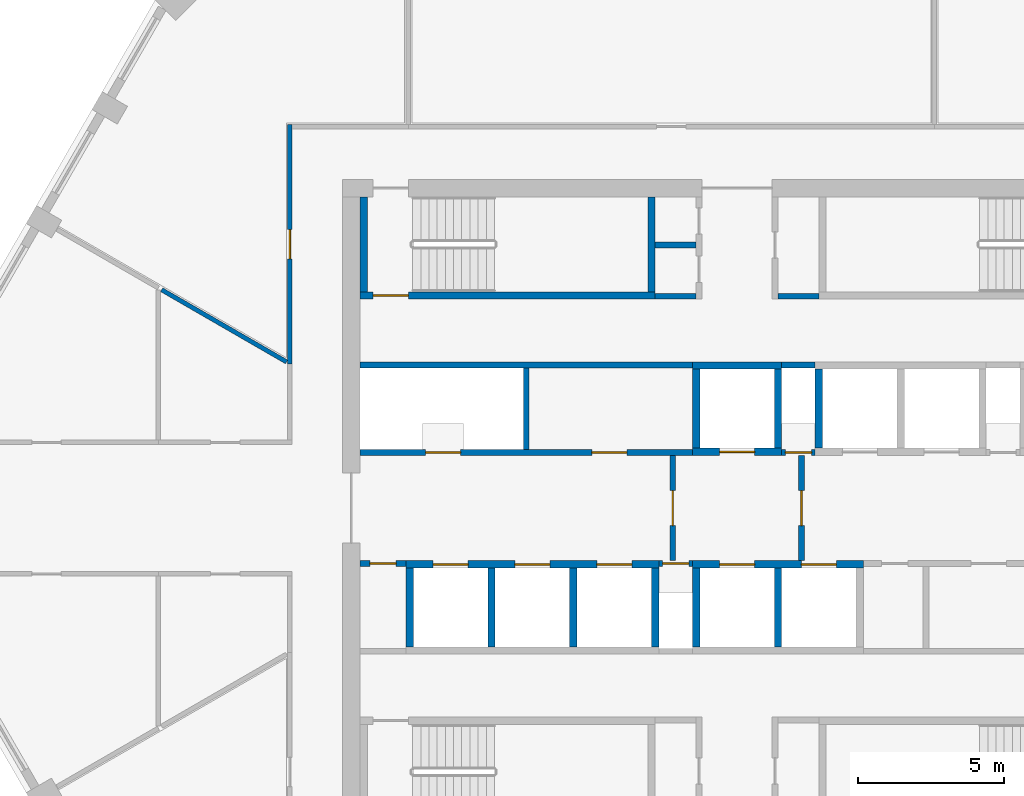
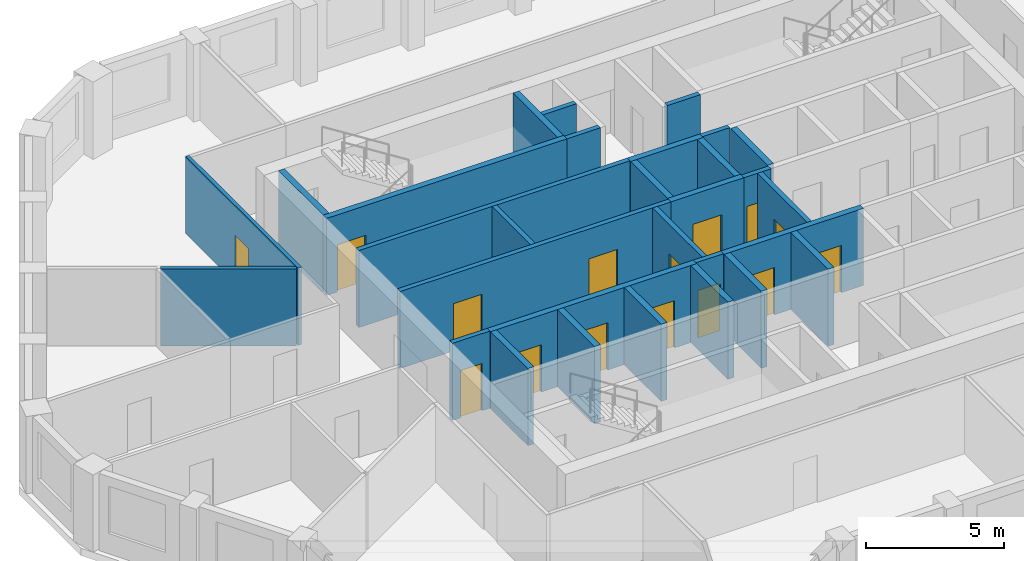
# One storey, part 3 of 11: 30 walls, 15 doors, 15 openings.
"""IFC4 building model written with IfcOpenShell, lengths in metres."""

from ifc_helpers import new_model, si_unit, direction, frame, frame_2d, origin, place, context, subcontext, project, spatial, polyline, rectangle, outline, extrude, material, layer, layer_set, type_object, element, fill, save


model = new_model("IFC4")

# Units and contexts
model_context = context("Model", 3, precision=1e-05, world=origin(), true_north=direction((0.0, 1.0)))
body_context = subcontext(model_context, "Body", "Model", "MODEL_VIEW")
ifc_project = project(units=[si_unit("LENGTHUNIT", "METRE"), si_unit("AREAUNIT", "SQUARE_METRE"), si_unit("VOLUMEUNIT", "CUBIC_METRE"), si_unit("PLANEANGLEUNIT", "RADIAN"), si_unit("MASSUNIT", "GRAM", prefix="KILO")], contexts=[model_context])

# Site, building, storey
site_placement = place(None, origin())
site = spatial("IfcSite", under=ifc_project, at=site_placement, CompositionType="ELEMENT")
building_placement = place(site_placement, origin())
building = spatial("IfcBuilding", under=site, at=building_placement, Name="Dhurran Vertical Campus", CompositionType="ELEMENT")
storey_placement = place(building_placement, frame((0.0, 0.0, 278.10009765625)))
storey = spatial("IfcBuildingStorey", under=building, at=storey_placement, Name="L69", CompositionType="ELEMENT", Elevation=278.10009765625)

# Wall, opening, door
ifc_material_1 = material(Name="Fire-rated masonry blockwork", Category="masonry")
ifc_layer_1 = layer(ifc_material_1, 0.199951171875)
ifc_layer_set_1 = layer_set([ifc_layer_1], Name="Fire-rated masonry blockwork")
wall_type_1 = type_object("IfcWallType", Name="co-FIRE-PARTITION-200", PredefinedType="PARTITIONING", material=ifc_layer_set_1)
wall_1_placement = place(storey_placement, frame((-2.199951171875, -1.800048828125, 0.0), z_axis=(0.0, 0.0, 1.0), x_axis=(0.0, 1.0, 0.0)))
wall_1 = element("IfcWall", 1, at=wall_1_placement, inside=storey, type_object=wall_type_1, Name="Firefighting lobby wall W L69", PredefinedType="PARTITIONING", context=body_context, shape_type="SweptSolid", body=[
    extrude(rectangle(XDim=3.60009765625, YDim=0.199951171875, at=frame_2d((1.800048828125, 0.0))), origin(), (0.0, 0.0, 1.0), 3.4248046875),
])
opening_1_placement = place(wall_1_placement, frame((1.199951171875, 0.0, 0.0)))
opening_1 = element("IfcOpeningElement", 2, at=opening_1_placement, cuts=wall_1, Name="Opening FL1", PredefinedType="OPENING", context=body_context, shape_type="SweptSolid", body=[
    extrude(rectangle(XDim=1.199951171875, YDim=2.10009765625, at=frame_2d((0.60009765625, 1.050048828125))), frame((0.0, 0.10986328125, 0.0), z_axis=(0.0, -1.0, 0.0), x_axis=(1.0, 0.0, 0.0)), (0.0, 0.0, 1.0), 0.219970703125),
])
ifc_material_2 = material(Name="Fire-rated steel door set", Category="steel")
door_type_1 = type_object("IfcDoorType", Name="co-D-FFLOBBY 1200x2100", OperationType="SINGLE_SWING_LEFT", PredefinedType="DOOR", material=ifc_material_2)
door_1_placement = place(opening_1_placement, origin())
door_1 = element("IfcDoor", 3, at=door_1_placement, inside=storey, type_object=door_type_1, Name="Firefighting lobby door W L69", OperationType="SINGLE_SWING_LEFT", OverallHeight=2.10009765625, OverallWidth=1.199951171875, PredefinedType="DOOR", context=body_context, shape_type="SweptSolid", body=[
    extrude(rectangle(XDim=1.199951171875, YDim=2.10009765625, at=frame_2d((0.60009765625, 1.050048828125))), frame((0.0, 0.02490234375, 0.0), z_axis=(0.0, -1.0, 0.0), x_axis=(1.0, 0.0, 0.0)), (0.0, 0.0, 1.0), 0.050048828125),
])
fill(opening_1, door_1)

wall_2_placement = place(storey_placement, frame((2.199951171875, -1.800048828125, 0.0), z_axis=(0.0, 0.0, 1.0), x_axis=(0.0, 1.0, 0.0)))
wall_2 = element("IfcWall", 4, at=wall_2_placement, inside=storey, type_object=wall_type_1, Name="Firefighting lobby wall E L69", PredefinedType="PARTITIONING", context=body_context, shape_type="SweptSolid", body=[
    extrude(rectangle(XDim=3.60009765625, YDim=0.199951171875, at=frame_2d((1.800048828125, 0.0))), origin(), (0.0, 0.0, 1.0), 3.4248046875),
])
opening_2_placement = place(wall_2_placement, frame((1.199951171875, 0.0, 0.0)))
opening_2 = element("IfcOpeningElement", 5, at=opening_2_placement, cuts=wall_2, Name="Opening FL2", PredefinedType="OPENING", context=body_context, shape_type="SweptSolid", body=[
    extrude(rectangle(XDim=1.199951171875, YDim=2.10009765625, at=frame_2d((0.60009765625, 1.050048828125))), frame((0.0, 0.10986328125, 0.0), z_axis=(0.0, -1.0, 0.0), x_axis=(1.0, 0.0, 0.0)), (0.0, 0.0, 1.0), 0.219970703125),
])
door_2_placement = place(opening_2_placement, origin())
door_2 = element("IfcDoor", 6, at=door_2_placement, inside=storey, type_object=door_type_1, Name="Firefighting lobby door E L69", OperationType="SINGLE_SWING_LEFT", OverallHeight=2.10009765625, OverallWidth=1.199951171875, PredefinedType="DOOR", context=body_context, shape_type="SweptSolid", body=[
    extrude(rectangle(XDim=1.199951171875, YDim=2.10009765625, at=frame_2d((0.60009765625, 1.050048828125))), frame((0.0, 0.02490234375, 0.0), z_axis=(0.0, -1.0, 0.0), x_axis=(1.0, 0.0, 0.0)), (0.0, 0.0, 1.0), 0.050048828125),
])
fill(opening_2, door_2)

# Walls
for number, where, z_axis, x_axis, name in (
    (7, (-2.800048828125, 7.25, 0.0), (0.0, 0.0, 1.0), (1.0, 0.0, 0.0), "Core partition sl-NW-S L69"),
    (8, (-2.800048828125, 9.0, 0.0), (0.0, 0.0, 1.0), (1.0, 0.0, 0.0), "Core partition sl-NW-cut0 L69"),
    (9, (1.39990234375, 7.25, 0.0), (0.0, 0.0, 1.0), (1.0, 0.0, 0.0), "Core partition sl-NE-S L69"),
):
    element("IfcWall", number, at=place(storey_placement, frame(where, z_axis=z_axis, x_axis=x_axis)), inside=storey, type_object=wall_type_1, Name=name, PredefinedType="PARTITIONING", context=body_context, shape_type="SweptSolid", body=[
        extrude(rectangle(XDim=1.400146484375, YDim=0.199951171875, at=frame_2d((0.7001953125, 0.0))), origin(), (0.0, 0.0, 1.0), 3.4248046875),
    ])
wall_3_placement = place(storey_placement, frame((-7.21240234375, 2.0, 0.0), z_axis=(0.0, 0.0, 1.0), x_axis=(0.0, 1.0, 0.0)))
element("IfcWall", 10, at=wall_3_placement, inside=storey, type_object=wall_type_1, Name="Core partition fr-N0-cut0 L69", PredefinedType="PARTITIONING", context=body_context, shape_type="SweptSolid", body=[
    extrude(rectangle(XDim=2.800048828125, YDim=0.199951171875, at=frame_2d((1.39990234375, 0.0))), origin(), (0.0, 0.0, 1.0), 3.4248046875),
])

# Wall, openings, doors
wall_4_placement = place(storey_placement, frame((-12.89990234375, 1.89990234375, 0.0), z_axis=(0.0, 0.0, 1.0), x_axis=(1.0, 0.0, 0.0)))
wall_4 = element("IfcWall", 11, at=wall_4_placement, inside=storey, type_object=wall_type_1, Name="Core partition fr-N0-f L69", PredefinedType="PARTITIONING", context=body_context, shape_type="SweptSolid", body=[
    extrude(rectangle(XDim=11.375, YDim=0.199951171875, at=frame_2d((5.6875, 0.0))), origin(), (0.0, 0.0, 1.0), 3.4248046875),
])
opening_3_placement = place(wall_4_placement, frame((2.243896484375, 0.0, 0.0)))
opening_3 = element("IfcOpeningElement", 12, at=opening_3_placement, cuts=wall_4, Name="Opening T20-C6", PredefinedType="OPENING", context=body_context, shape_type="SweptSolid", body=[
    extrude(rectangle(XDim=1.199951171875, YDim=2.10009765625, at=frame_2d((0.60009765625, 1.050048828125))), frame((0.0, 0.10986328125, 0.0), z_axis=(0.0, -1.0, 0.0), x_axis=(1.0, 0.0, 0.0)), (0.0, 0.0, 1.0), 0.219970703125),
])
opening_4_placement = place(wall_4_placement, frame((7.931396484375, 0.0, 0.0)))
opening_4 = element("IfcOpeningElement", 13, at=opening_4_placement, cuts=wall_4, Name="Opening T20-C7", PredefinedType="OPENING", context=body_context, shape_type="SweptSolid", body=[
    extrude(rectangle(XDim=1.199951171875, YDim=2.10009765625, at=frame_2d((0.60009765625, 1.050048828125))), frame((0.0, 0.10986328125, 0.0), z_axis=(0.0, -1.0, 0.0), x_axis=(1.0, 0.0, 0.0)), (0.0, 0.0, 1.0), 0.219970703125),
])
ifc_material_3 = material(Name="Fire-rated steel door set", Category="steel")
door_type_2 = type_object("IfcDoorType", Name="co-D-ROOM-PASSAGE 1200x2100", OperationType="SINGLE_SWING_RIGHT", PredefinedType="DOOR", material=ifc_material_3)
door_3_placement = place(opening_3_placement, origin())
door_3 = element("IfcDoor", 14, at=door_3_placement, inside=storey, type_object=door_type_2, Name="Electrical riser door L69", OperationType="SINGLE_SWING_RIGHT", OverallHeight=2.10009765625, OverallWidth=1.199951171875, PredefinedType="DOOR", context=body_context, shape_type="SweptSolid", body=[
    extrude(rectangle(XDim=1.199951171875, YDim=2.10009765625, at=frame_2d((0.60009765625, 1.050048828125))), frame((0.0, 0.02490234375, 0.0), z_axis=(0.0, -1.0, 0.0), x_axis=(1.0, 0.0, 0.0)), (0.0, 0.0, 1.0), 0.050048828125),
])
fill(opening_3, door_3)
door_4_placement = place(opening_4_placement, origin())
door_4 = element("IfcDoor", 15, at=door_4_placement, inside=storey, type_object=door_type_2, Name="Pantry door L69", OperationType="SINGLE_SWING_RIGHT", OverallHeight=2.10009765625, OverallWidth=1.199951171875, PredefinedType="DOOR", context=body_context, shape_type="SweptSolid", body=[
    extrude(rectangle(XDim=1.199951171875, YDim=2.10009765625, at=frame_2d((0.60009765625, 1.050048828125))), frame((0.0, 0.02490234375, 0.0), z_axis=(0.0, -1.0, 0.0), x_axis=(1.0, 0.0, 0.0)), (0.0, 0.0, 1.0), 0.050048828125),
])
fill(opening_4, door_4)

# Wall
wall_5_placement = place(storey_placement, frame((-12.89990234375, 4.89990234375, 0.0), z_axis=(0.0, 0.0, 1.0), x_axis=(1.0, 0.0, 0.0)))
element("IfcWall", 16, at=wall_5_placement, inside=storey, type_object=wall_type_1, Name="Core partition fr-N0-b L69", PredefinedType="PARTITIONING", context=body_context, shape_type="SweptSolid", body=[
    extrude(rectangle(XDim=11.375, YDim=0.199951171875, at=frame_2d((5.6875, 0.0))), origin(), (0.0, 0.0, 1.0), 3.4248046875),
])

# Wall, opening, door
wall_6_placement = place(storey_placement, frame((1.52490234375, 1.89990234375, 0.0), z_axis=(0.0, 0.0, 1.0), x_axis=(1.0, 0.0, 0.0)))
wall_6 = element("IfcWall", 17, at=wall_6_placement, inside=storey, type_object=wall_type_1, Name="Core partition fr-N1-f L69", PredefinedType="PARTITIONING", context=body_context, shape_type="SweptSolid", body=[
    extrude(rectangle(XDim=1.150146484375, YDim=0.199951171875, at=frame_2d((0.5751953125, 0.0))), origin(), (0.0, 0.0, 1.0), 3.4248046875),
])
opening_5_placement = place(wall_6_placement, frame((0.125, 0.0, 0.0)))
opening_5 = element("IfcOpeningElement", 18, at=opening_5_placement, cuts=wall_6, Name="Opening T20-C8", PredefinedType="OPENING", context=body_context, shape_type="SweptSolid", body=[
    extrude(rectangle(XDim=0.89990234375, YDim=2.10009765625, at=frame_2d((0.449951171875, 1.050048828125))), frame((0.0, 0.10986328125, 0.0), z_axis=(0.0, -1.0, 0.0), x_axis=(1.0, 0.0, 0.0)), (0.0, 0.0, 1.0), 0.219970703125),
])
ifc_material_4 = material(Name="Fire-rated timber door set", Category="wood")
door_type_3 = type_object("IfcDoorType", Name="co-D-ROOM 900x2100", OperationType="SINGLE_SWING_LEFT", PredefinedType="DOOR", material=ifc_material_4)
door_5_placement = place(opening_5_placement, origin())
door_5 = element("IfcDoor", 19, at=door_5_placement, inside=storey, type_object=door_type_3, Name="Water riser door L69", OperationType="SINGLE_SWING_LEFT", OverallHeight=2.10009765625, OverallWidth=0.89990234375, PredefinedType="DOOR", context=body_context, shape_type="SweptSolid", body=[
    extrude(rectangle(XDim=0.89990234375, YDim=2.10009765625, at=frame_2d((0.449951171875, 1.050048828125))), frame((0.0, 0.02490234375, 0.0), z_axis=(0.0, -1.0, 0.0), x_axis=(1.0, 0.0, 0.0)), (0.0, 0.0, 1.0), 0.050048828125),
])
fill(opening_5, door_5)

# Wall
wall_7_placement = place(storey_placement, frame((1.52490234375, 4.89990234375, 0.0), z_axis=(0.0, 0.0, 1.0), x_axis=(1.0, 0.0, 0.0)))
element("IfcWall", 20, at=wall_7_placement, inside=storey, type_object=wall_type_1, Name="Core partition fr-N1-b L69", PredefinedType="PARTITIONING", context=body_context, shape_type="SweptSolid", body=[
    extrude(rectangle(XDim=1.150146484375, YDim=0.199951171875, at=frame_2d((0.5751953125, 0.0))), origin(), (0.0, 0.0, 1.0), 3.4248046875),
])

# Wall, opening, door
wall_8_placement = place(storey_placement, frame((-12.89990234375, -1.89990234375, 0.0), z_axis=(0.0, 0.0, 1.0), x_axis=(1.0, 0.0, 0.0)))
wall_8 = element("IfcWall", 21, at=wall_8_placement, inside=storey, type_object=wall_type_1, Name="Core partition fr-S0-f L69", PredefinedType="PARTITIONING", context=body_context, shape_type="SweptSolid", body=[
    extrude(rectangle(XDim=1.574951171875, YDim=0.199951171875, at=frame_2d((0.78759765625, 0.0))), origin(), (0.0, 0.0, 1.0), 3.4248046875),
])
opening_6_placement = place(wall_8_placement, frame((0.33740234375, 0.0, 0.0)))
opening_6 = element("IfcOpeningElement", 22, at=opening_6_placement, cuts=wall_8, Name="Opening T20-C10", PredefinedType="OPENING", context=body_context, shape_type="SweptSolid", body=[
    extrude(rectangle(XDim=0.89990234375, YDim=2.10009765625, at=frame_2d((0.449951171875, 1.050048828125))), frame((0.0, 0.10986328125, 0.0), z_axis=(0.0, -1.0, 0.0), x_axis=(1.0, 0.0, 0.0)), (0.0, 0.0, 1.0), 0.219970703125),
])
door_6_placement = place(opening_6_placement, origin())
door_6 = element("IfcDoor", 23, at=door_6_placement, inside=storey, type_object=door_type_3, Name="Cleaner's store door L69", OperationType="SINGLE_SWING_LEFT", OverallHeight=2.10009765625, OverallWidth=0.89990234375, PredefinedType="DOOR", context=body_context, shape_type="SweptSolid", body=[
    extrude(rectangle(XDim=0.89990234375, YDim=2.10009765625, at=frame_2d((0.449951171875, 1.050048828125))), frame((0.0, 0.02490234375, 0.0), z_axis=(0.0, -1.0, 0.0), x_axis=(1.0, 0.0, 0.0)), (0.0, 0.0, 1.0), 0.050048828125),
])
fill(opening_6, door_6)

wall_9_placement = place(storey_placement, frame((-2.675048828125, -1.89990234375, 0.0), z_axis=(0.0, 0.0, 1.0), x_axis=(1.0, 0.0, 0.0)))
wall_9 = element("IfcWall", 24, at=wall_9_placement, inside=storey, type_object=wall_type_1, Name="Core partition fr-S1-f L69", PredefinedType="PARTITIONING", context=body_context, shape_type="SweptSolid", body=[
    extrude(rectangle(XDim=1.150146484375, YDim=0.199951171875, at=frame_2d((0.5751953125, 0.0))), origin(), (0.0, 0.0, 1.0), 3.4248046875),
])
opening_7_placement = place(wall_9_placement, frame((0.125, 0.0, 0.0)))
opening_7 = element("IfcOpeningElement", 25, at=opening_7_placement, cuts=wall_9, Name="Opening T20-C11", PredefinedType="OPENING", context=body_context, shape_type="SweptSolid", body=[
    extrude(rectangle(XDim=0.89990234375, YDim=2.10009765625, at=frame_2d((0.449951171875, 1.050048828125))), frame((0.0, 0.10986328125, 0.0), z_axis=(0.0, -1.0, 0.0), x_axis=(1.0, 0.0, 0.0)), (0.0, 0.0, 1.0), 0.219970703125),
])
door_7_placement = place(opening_7_placement, origin())
door_7 = element("IfcDoor", 26, at=door_7_placement, inside=storey, type_object=door_type_3, Name="Communications riser door L69", OperationType="SINGLE_SWING_LEFT", OverallHeight=2.10009765625, OverallWidth=0.89990234375, PredefinedType="DOOR", context=body_context, shape_type="SweptSolid", body=[
    extrude(rectangle(XDim=0.89990234375, YDim=2.10009765625, at=frame_2d((0.449951171875, 1.050048828125))), frame((0.0, 0.02490234375, 0.0), z_axis=(0.0, -1.0, 0.0), x_axis=(1.0, 0.0, 0.0)), (0.0, 0.0, 1.0), 0.050048828125),
])
fill(opening_7, door_7)

ifc_material_5 = material(Name="Concrete C50/60", Category="concrete")
ifc_layer_2 = layer(ifc_material_5, 0.25)
ifc_layer_set_2 = layer_set([ifc_layer_2], Name="Concrete C50/60")
wall_type_2 = type_object("IfcWallType", Name="co-SHAFT-FRONT-250", PredefinedType="SHEAR", material=ifc_layer_set_2)
wall_10_placement = place(storey_placement, frame((-1.52490234375, 1.925048828125, 0.0), z_axis=(0.0, 0.0, 1.0), x_axis=(1.0, 0.0, 0.0)))
wall_10 = element("IfcWall", 27, at=wall_10_placement, inside=storey, type_object=wall_type_2, Name="Lift landing wall N L69", PredefinedType="SHEAR", context=body_context, shape_type="SweptSolid", body=[
    extrude(rectangle(XDim=3.0498046875, YDim=0.25, at=frame_2d((1.52490234375, 0.0))), origin(), (0.0, 0.0, 1.0), 3.4248046875),
])
opening_8_placement = place(wall_10_placement, frame((0.925048828125, 0.0, 0.0)))
opening_8 = element("IfcOpeningElement", 28, at=opening_8_placement, cuts=wall_10, Name="Opening LD", PredefinedType="OPENING", context=body_context, shape_type="SweptSolid", body=[
    extrude(rectangle(XDim=1.199951171875, YDim=2.10009765625, at=frame_2d((0.60009765625, 1.050048828125))), frame((0.0, 0.135009765625, 0.0), z_axis=(0.0, -1.0, 0.0), x_axis=(1.0, 0.0, 0.0)), (0.0, 0.0, 1.0), 0.27001953125),
])
ifc_material_6 = material(Name="Stainless steel landing door", Category="steel")
door_type_4 = type_object("IfcDoorType", Name="co-D-LANDING 1200x2100", OperationType="DOUBLE_DOOR_SLIDING", PredefinedType="DOOR", material=ifc_material_6)
door_8_placement = place(opening_8_placement, origin())
door_8 = element("IfcDoor", 29, at=door_8_placement, inside=storey, type_object=door_type_4, Name="Landing door FF1 L69", OperationType="DOUBLE_DOOR_SLIDING", OverallHeight=2.10009765625, OverallWidth=1.199951171875, PredefinedType="DOOR", context=body_context, shape_type="SweptSolid", body=[
    extrude(rectangle(XDim=1.199951171875, YDim=2.10009765625, at=frame_2d((0.60009765625, 1.050048828125))), frame((0.0, 0.02490234375, 0.0), z_axis=(0.0, -1.0, 0.0), x_axis=(1.0, 0.0, 0.0)), (0.0, 0.0, 1.0), 0.050048828125),
])
fill(opening_8, door_8)

# Wall, openings, doors
wall_11_placement = place(storey_placement, frame((-11.324951171875, -1.925048828125, 0.0), z_axis=(0.0, 0.0, 1.0), x_axis=(1.0, 0.0, 0.0)))
wall_11 = element("IfcWall", 30, at=wall_11_placement, inside=storey, type_object=wall_type_2, Name="Lift landing wall S L69", PredefinedType="SHEAR", context=body_context, shape_type="SweptSolid", body=[
    extrude(rectangle(XDim=8.64990234375, YDim=0.25, at=frame_2d((4.324951171875, 0.0))), origin(), (0.0, 0.0, 1.0), 3.4248046875),
])
opening_9_placement = place(wall_11_placement, frame((0.925048828125, 0.0, 0.0)))
opening_9 = element("IfcOpeningElement", 31, at=opening_9_placement, cuts=wall_11, Name="Opening LD", PredefinedType="OPENING", context=body_context, shape_type="SweptSolid", body=[
    extrude(rectangle(XDim=1.199951171875, YDim=2.10009765625, at=frame_2d((0.60009765625, 1.050048828125))), frame((0.0, 0.135009765625, 0.0), z_axis=(0.0, -1.0, 0.0), x_axis=(1.0, 0.0, 0.0)), (0.0, 0.0, 1.0), 0.27001953125),
])
opening_10_placement = place(wall_11_placement, frame((3.72509765625, 0.0, 0.0)))
opening_10 = element("IfcOpeningElement", 32, at=opening_10_placement, cuts=wall_11, Name="Opening LD", PredefinedType="OPENING", context=body_context, shape_type="SweptSolid", body=[
    extrude(rectangle(XDim=1.199951171875, YDim=2.10009765625, at=frame_2d((0.60009765625, 1.050048828125))), frame((0.0, 0.135009765625, 0.0), z_axis=(0.0, -1.0, 0.0), x_axis=(1.0, 0.0, 0.0)), (0.0, 0.0, 1.0), 0.27001953125),
])
opening_11_placement = place(wall_11_placement, frame((6.52490234375, 0.0, 0.0)))
opening_11 = element("IfcOpeningElement", 33, at=opening_11_placement, cuts=wall_11, Name="Opening LD", PredefinedType="OPENING", context=body_context, shape_type="SweptSolid", body=[
    extrude(rectangle(XDim=1.199951171875, YDim=2.10009765625, at=frame_2d((0.60009765625, 1.050048828125))), frame((0.0, 0.135009765625, 0.0), z_axis=(0.0, -1.0, 0.0), x_axis=(1.0, 0.0, 0.0)), (0.0, 0.0, 1.0), 0.27001953125),
])
door_9_placement = place(opening_9_placement, origin())
door_9 = element("IfcDoor", 34, at=door_9_placement, inside=storey, type_object=door_type_4, Name="Landing door HR3 L69", OperationType="DOUBLE_DOOR_SLIDING", OverallHeight=2.10009765625, OverallWidth=1.199951171875, PredefinedType="DOOR", context=body_context, shape_type="SweptSolid", body=[
    extrude(rectangle(XDim=1.199951171875, YDim=2.10009765625, at=frame_2d((0.60009765625, 1.050048828125))), frame((0.0, 0.02490234375, 0.0), z_axis=(0.0, -1.0, 0.0), x_axis=(1.0, 0.0, 0.0)), (0.0, 0.0, 1.0), 0.050048828125),
])
fill(opening_9, door_9)
door_10_placement = place(opening_10_placement, origin())
door_10 = element("IfcDoor", 35, at=door_10_placement, inside=storey, type_object=door_type_4, Name="Landing door HR4 L69", OperationType="DOUBLE_DOOR_SLIDING", OverallHeight=2.10009765625, OverallWidth=1.199951171875, PredefinedType="DOOR", context=body_context, shape_type="SweptSolid", body=[
    extrude(rectangle(XDim=1.199951171875, YDim=2.10009765625, at=frame_2d((0.60009765625, 1.050048828125))), frame((0.0, 0.02490234375, 0.0), z_axis=(0.0, -1.0, 0.0), x_axis=(1.0, 0.0, 0.0)), (0.0, 0.0, 1.0), 0.050048828125),
])
fill(opening_10, door_10)
door_11_placement = place(opening_11_placement, origin())
door_11 = element("IfcDoor", 36, at=door_11_placement, inside=storey, type_object=door_type_4, Name="Landing door HR5 L69", OperationType="DOUBLE_DOOR_SLIDING", OverallHeight=2.10009765625, OverallWidth=1.199951171875, PredefinedType="DOOR", context=body_context, shape_type="SweptSolid", body=[
    extrude(rectangle(XDim=1.199951171875, YDim=2.10009765625, at=frame_2d((0.60009765625, 1.050048828125))), frame((0.0, 0.02490234375, 0.0), z_axis=(0.0, -1.0, 0.0), x_axis=(1.0, 0.0, 0.0)), (0.0, 0.0, 1.0), 0.050048828125),
])
fill(opening_11, door_11)

wall_12_placement = place(storey_placement, frame((-1.52490234375, -1.925048828125, 0.0), z_axis=(0.0, 0.0, 1.0), x_axis=(1.0, 0.0, 0.0)))
wall_12 = element("IfcWall", 37, at=wall_12_placement, inside=storey, type_object=wall_type_2, Name="Lift landing wall S L69", PredefinedType="SHEAR", context=body_context, shape_type="SweptSolid", body=[
    extrude(rectangle(XDim=5.849853515625, YDim=0.25, at=frame_2d((2.9248046875, 0.0))), origin(), (0.0, 0.0, 1.0), 3.4248046875),
])
opening_12_placement = place(wall_12_placement, frame((0.925048828125, 0.0, 0.0)))
opening_12 = element("IfcOpeningElement", 38, at=opening_12_placement, cuts=wall_12, Name="Opening LD", PredefinedType="OPENING", context=body_context, shape_type="SweptSolid", body=[
    extrude(rectangle(XDim=1.199951171875, YDim=2.10009765625, at=frame_2d((0.60009765625, 1.050048828125))), frame((0.0, 0.135009765625, 0.0), z_axis=(0.0, -1.0, 0.0), x_axis=(1.0, 0.0, 0.0)), (0.0, 0.0, 1.0), 0.27001953125),
])
opening_13_placement = place(wall_12_placement, frame((3.72509765625, 0.0, 0.0)))
opening_13 = element("IfcOpeningElement", 39, at=opening_13_placement, cuts=wall_12, Name="Opening LD", PredefinedType="OPENING", context=body_context, shape_type="SweptSolid", body=[
    extrude(rectangle(XDim=1.199951171875, YDim=2.10009765625, at=frame_2d((0.60009765625, 1.050048828125))), frame((0.0, 0.135009765625, 0.0), z_axis=(0.0, -1.0, 0.0), x_axis=(1.0, 0.0, 0.0)), (0.0, 0.0, 1.0), 0.27001953125),
])
door_12_placement = place(opening_12_placement, origin())
door_12 = element("IfcDoor", 40, at=door_12_placement, inside=storey, type_object=door_type_4, Name="Landing door FF2 L69", OperationType="DOUBLE_DOOR_SLIDING", OverallHeight=2.10009765625, OverallWidth=1.199951171875, PredefinedType="DOOR", context=body_context, shape_type="SweptSolid", body=[
    extrude(rectangle(XDim=1.199951171875, YDim=2.10009765625, at=frame_2d((0.60009765625, 1.050048828125))), frame((0.0, 0.02490234375, 0.0), z_axis=(0.0, -1.0, 0.0), x_axis=(1.0, 0.0, 0.0)), (0.0, 0.0, 1.0), 0.050048828125),
])
fill(opening_12, door_12)
door_13_placement = place(opening_13_placement, origin())
door_13 = element("IfcDoor", 41, at=door_13_placement, inside=storey, type_object=door_type_4, Name="Landing door SV1 L69", OperationType="DOUBLE_DOOR_SLIDING", OverallHeight=2.10009765625, OverallWidth=1.199951171875, PredefinedType="DOOR", context=body_context, shape_type="SweptSolid", body=[
    extrude(rectangle(XDim=1.199951171875, YDim=2.10009765625, at=frame_2d((0.60009765625, 1.050048828125))), frame((0.0, 0.02490234375, 0.0), z_axis=(0.0, -1.0, 0.0), x_axis=(1.0, 0.0, 0.0)), (0.0, 0.0, 1.0), 0.050048828125),
])
fill(opening_13, door_13)

# Walls
ifc_material_7 = material(Name="Concrete C50/60", Category="concrete")
ifc_layer_3 = layer(ifc_material_7, 0.25)
ifc_layer_set_3 = layer_set([ifc_layer_3], Name="Concrete C50/60")
wall_type_3 = type_object("IfcWallType", Name="co-SHAFT-MASS-250", PredefinedType="SHEAR", material=ifc_layer_set_3)
wall_13_placement = place(storey_placement, origin())
element("IfcWall", 42, at=wall_13_placement, inside=storey, type_object=wall_type_3, Name="Lift shaft wall N L69 1", PredefinedType="SHEAR", context=body_context, shape_type="SweptSolid", body=[
    extrude(outline(polyline([(-1.52490234375, 4.75), (1.52490234375, 4.75), (1.52490234375, 5.0), (-1.52490234375, 5.0), (-1.52490234375, 4.75)])), origin(), (0.0, 0.0, 1.0), 3.4248046875),
])
wall_14_placement = place(storey_placement, origin())
element("IfcWall", 43, at=wall_14_placement, inside=storey, type_object=wall_type_3, Name="Lift shaft wall N L69 4", PredefinedType="SHEAR", context=body_context, shape_type="SweptSolid", body=[
    extrude(outline(polyline([(-1.52490234375, 2.050048828125), (-1.27490234375, 2.050048828125), (-1.27490234375, 4.75), (-1.52490234375, 4.75), (-1.52490234375, 2.050048828125)])), origin(), (0.0, 0.0, 1.0), 3.4248046875),
])
wall_15_placement = place(storey_placement, origin())
element("IfcWall", 44, at=wall_15_placement, inside=storey, type_object=wall_type_3, Name="Lift shaft wall N L69 5", PredefinedType="SHEAR", context=body_context, shape_type="SweptSolid", body=[
    extrude(outline(polyline([(1.27490234375, 2.050048828125), (1.52490234375, 2.050048828125), (1.52490234375, 4.75), (1.27490234375, 4.75), (1.27490234375, 2.050048828125)])), origin(), (0.0, 0.0, 1.0), 3.4248046875),
])
wall_16_placement = place(storey_placement, origin())
element("IfcWall", 45, at=wall_16_placement, inside=storey, type_object=wall_type_3, Name="Lift shaft wall N L69 6", PredefinedType="SHEAR", context=body_context, shape_type="SweptSolid", body=[
    extrude(outline(polyline([(2.675048828125, 2.050048828125), (2.925048828125, 2.050048828125), (2.925048828125, 4.75), (2.675048828125, 4.75), (2.675048828125, 2.050048828125)])), origin(), (0.0, 0.0, 1.0), 3.4248046875),
])
wall_17_placement = place(storey_placement, origin())
element("IfcWall", 46, at=wall_17_placement, inside=storey, type_object=wall_type_3, Name="Lift shaft wall S L69 3", PredefinedType="SHEAR", context=body_context, shape_type="SweptSolid", body=[
    extrude(outline(polyline([(-11.324951171875, -4.75), (-11.074951171875, -4.75), (-11.074951171875, -2.050048828125), (-11.324951171875, -2.050048828125), (-11.324951171875, -4.75)])), origin(), (0.0, 0.0, 1.0), 3.4248046875),
])
wall_18_placement = place(storey_placement, origin())
element("IfcWall", 47, at=wall_18_placement, inside=storey, type_object=wall_type_3, Name="Lift shaft wall S L69 4", PredefinedType="SHEAR", context=body_context, shape_type="SweptSolid", body=[
    extrude(outline(polyline([(-8.52490234375, -4.75), (-8.27490234375, -4.75), (-8.27490234375, -2.050048828125), (-8.52490234375, -2.050048828125), (-8.52490234375, -4.75)])), origin(), (0.0, 0.0, 1.0), 3.4248046875),
])
wall_19_placement = place(storey_placement, origin())
element("IfcWall", 48, at=wall_19_placement, inside=storey, type_object=wall_type_3, Name="Lift shaft wall S L69 5", PredefinedType="SHEAR", context=body_context, shape_type="SweptSolid", body=[
    extrude(outline(polyline([(-5.72509765625, -4.75), (-5.47509765625, -4.75), (-5.47509765625, -2.050048828125), (-5.72509765625, -2.050048828125), (-5.72509765625, -4.75)])), origin(), (0.0, 0.0, 1.0), 3.4248046875),
])
wall_20_placement = place(storey_placement, origin())
element("IfcWall", 49, at=wall_20_placement, inside=storey, type_object=wall_type_3, Name="Lift shaft wall S L69 6", PredefinedType="SHEAR", context=body_context, shape_type="SweptSolid", body=[
    extrude(outline(polyline([(-2.925048828125, -4.75), (-2.675048828125, -4.75), (-2.675048828125, -2.050048828125), (-2.925048828125, -2.050048828125), (-2.925048828125, -4.75)])), origin(), (0.0, 0.0, 1.0), 3.4248046875),
])
wall_21_placement = place(storey_placement, origin())
element("IfcWall", 50, at=wall_21_placement, inside=storey, type_object=wall_type_3, Name="Lift shaft wall S L69 7", PredefinedType="SHEAR", context=body_context, shape_type="SweptSolid", body=[
    extrude(outline(polyline([(-1.52490234375, -4.75), (-1.27490234375, -4.75), (-1.27490234375, -2.050048828125), (-1.52490234375, -2.050048828125), (-1.52490234375, -4.75)])), origin(), (0.0, 0.0, 1.0), 3.4248046875),
])
wall_22_placement = place(storey_placement, origin())
element("IfcWall", 51, at=wall_22_placement, inside=storey, type_object=wall_type_3, Name="Lift shaft wall S L69 8", PredefinedType="SHEAR", context=body_context, shape_type="SweptSolid", body=[
    extrude(outline(polyline([(1.27490234375, -4.75), (1.52490234375, -4.75), (1.52490234375, -2.050048828125), (1.27490234375, -2.050048828125), (1.27490234375, -4.75)])), origin(), (0.0, 0.0, 1.0), 3.4248046875),
])

# Wall, opening, door
ifc_material_8 = material(Name="Concrete C40/50", Category="concrete")
ifc_layer_4 = layer(ifc_material_8, 0.25)
ifc_layer_set_4 = layer_set([ifc_layer_4], Name="Concrete C40/50")
wall_type_4 = type_object("IfcWallType", Name="co-STAIR-WALL-250", PredefinedType="SHEAR", material=ifc_layer_set_4)
wall_23_placement = place(storey_placement, frame((-12.89990234375, 7.27490234375, 0.0), z_axis=(0.0, 0.0, 1.0), x_axis=(1.0, 0.0, 0.0)))
wall_23 = element("IfcWall", 52, at=wall_23_placement, inside=storey, type_object=wall_type_4, Name="Stair ST1 enclosure wall L69", PredefinedType="SHEAR", context=body_context, shape_type="SweptSolid", body=[
    extrude(rectangle(XDim=10.099853515625, YDim=0.25, at=frame_2d((5.0498046875, 0.0))), origin(), (0.0, 0.0, 1.0), 3.4248046875),
])
opening_14_placement = place(wall_23_placement, frame((0.449951171875, 0.0, 0.0)))
opening_14 = element("IfcOpeningElement", 53, at=opening_14_placement, cuts=wall_23, Name="Opening SD1", PredefinedType="OPENING", context=body_context, shape_type="SweptSolid", body=[
    extrude(rectangle(XDim=1.199951171875, YDim=2.10009765625, at=frame_2d((0.60009765625, 1.050048828125))), frame((0.0, 0.135009765625, 0.0), z_axis=(0.0, -1.0, 0.0), x_axis=(1.0, 0.0, 0.0)), (0.0, 0.0, 1.0), 0.27001953125),
])
ifc_material_9 = material(Name="Fire-rated steel door set", Category="steel")
door_type_5 = type_object("IfcDoorType", Name="co-D-STAIR 1200x2100", OperationType="SINGLE_SWING_LEFT", PredefinedType="DOOR", material=ifc_material_9)
door_14_placement = place(opening_14_placement, origin())
door_14 = element("IfcDoor", 54, at=door_14_placement, inside=storey, type_object=door_type_5, Name="Stair ST1 door L69", OperationType="SINGLE_SWING_LEFT", OverallHeight=2.10009765625, OverallWidth=1.199951171875, PredefinedType="DOOR", context=body_context, shape_type="SweptSolid", body=[
    extrude(rectangle(XDim=1.199951171875, YDim=2.10009765625, at=frame_2d((0.60009765625, 1.050048828125))), frame((0.0, 0.02490234375, 0.0), z_axis=(0.0, -1.0, 0.0), x_axis=(1.0, 0.0, 0.0)), (0.0, 0.0, 1.0), 0.050048828125),
])
fill(opening_14, door_14)

# Walls
for number, where, z_axis, x_axis, name in (
    (55, (-12.77490234375, 7.39990234375, 0.0), (0.0, 0.0, 1.0), (0.0, 1.0, 0.0), "Stair ST1 enclosure wall L69"),
    (56, (-2.925048828125, 7.39990234375, 0.0), (0.0, 0.0, 1.0), (0.0, 1.0, 0.0), "Stair ST1 enclosure wall L69"),
):
    element("IfcWall", number, at=place(storey_placement, frame(where, z_axis=z_axis, x_axis=x_axis)), inside=storey, type_object=wall_type_4, Name=name, PredefinedType="SHEAR", context=body_context, shape_type="SweptSolid", body=[
        extrude(rectangle(XDim=3.25, YDim=0.25, at=frame_2d((1.625, 0.0))), origin(), (0.0, 0.0, 1.0), 3.4248046875),
    ])

# Wall, opening, door
ifc_material_10 = material(Name="Gypsum board corridor wall on steel studs", Category="steel")
ifc_layer_5 = layer(ifc_material_10, 0.14990234375)
ifc_layer_set_5 = layer_set([ifc_layer_5], Name="Gypsum board corridor wall on steel studs")
wall_type_5 = type_object("IfcWallType", Name="fl-CW-150 corridor wall", PredefinedType="PARTITIONING", material=ifc_layer_set_5)
wall_24_placement = place(storey_placement, frame((-15.300048828125, 13.125, 0.0), z_axis=(0.0, 0.0, 1.0), x_axis=(0.0, -1.0, 0.0)))
wall_24 = element("IfcWall", 57, at=wall_24_placement, inside=storey, type_object=wall_type_5, Name="Partition 69-15", PredefinedType="PARTITIONING", context=body_context, shape_type="SweptSolid", body=[
    extrude(rectangle(XDim=8.18896484375, YDim=0.14990234375, at=frame_2d((4.094482421875, 0.0))), origin(), (0.0, 0.0, 1.0), 3.4248046875),
])
opening_15_placement = place(wall_24_placement, frame((3.594482421875, 0.0, 0.0)))
opening_15 = element("IfcOpeningElement", 58, at=opening_15_placement, cuts=wall_24, Name="Opening T20.06", PredefinedType="OPENING", context=body_context, shape_type="SweptSolid", body=[
    extrude(rectangle(XDim=1.0, YDim=2.10009765625, at=frame_2d((0.5, 1.050048828125))), frame((0.0, 0.0849609375, 0.0), z_axis=(0.0, -1.0, 0.0), x_axis=(1.0, 0.0, 0.0)), (0.0, 0.0, 1.0), 0.169921875),
])
ifc_material_11 = material(Name="Solid-core timber door set, fire-rated", Category="wood")
door_type_6 = type_object("IfcDoorType", Name="fl-D-1000x2100", OperationType="SINGLE_SWING_LEFT", PredefinedType="DOOR", material=ifc_material_11)
door_15_placement = place(opening_15_placement, origin())
door_15 = element("IfcDoor", 59, at=door_15_placement, inside=storey, type_object=door_type_6, Name="Door 69.06", OperationType="SINGLE_SWING_RIGHT", OverallHeight=2.10009765625, OverallWidth=1.0, PredefinedType="DOOR", context=body_context, shape_type="SweptSolid", body=[
    extrude(rectangle(XDim=1.0, YDim=2.10009765625, at=frame_2d((0.5, 1.050048828125))), frame((0.0, 0.02490234375, 0.0), z_axis=(0.0, -1.0, 0.0), x_axis=(1.0, 0.0, 0.0)), (0.0, 0.0, 1.0), 0.050048828125),
])
fill(opening_15, door_15)

# Wall
ifc_material_12 = material(Name="Gypsum board partition on steel studs", Category="steel")
ifc_layer_6 = layer(ifc_material_12, 0.14990234375)
ifc_layer_set_6 = layer_set([ifc_layer_6], Name="Gypsum board partition on steel studs")
wall_type_6 = type_object("IfcWallType", Name="fl-PW-150 fixed partition", PredefinedType="PARTITIONING", material=ifc_layer_set_6)
wall_25_placement = place(storey_placement, frame((-19.6875, 7.468994140625, 0.0), z_axis=(0.0, 0.0, 1.0), x_axis=(0.866034039096, -0.499985042903, 0.0)))
element("IfcWall", 60, at=wall_25_placement, inside=storey, type_object=wall_type_6, Name="Partition 69-10", PredefinedType="PARTITIONING", context=body_context, shape_type="SweptSolid", body=[
    extrude(rectangle(XDim=4.936279296875, YDim=0.14990234375, at=frame_2d((2.46826171875, 0.0))), origin(), (0.0, 0.0, 1.0), 3.4248046875),
])

save(model, "model.ifc")
